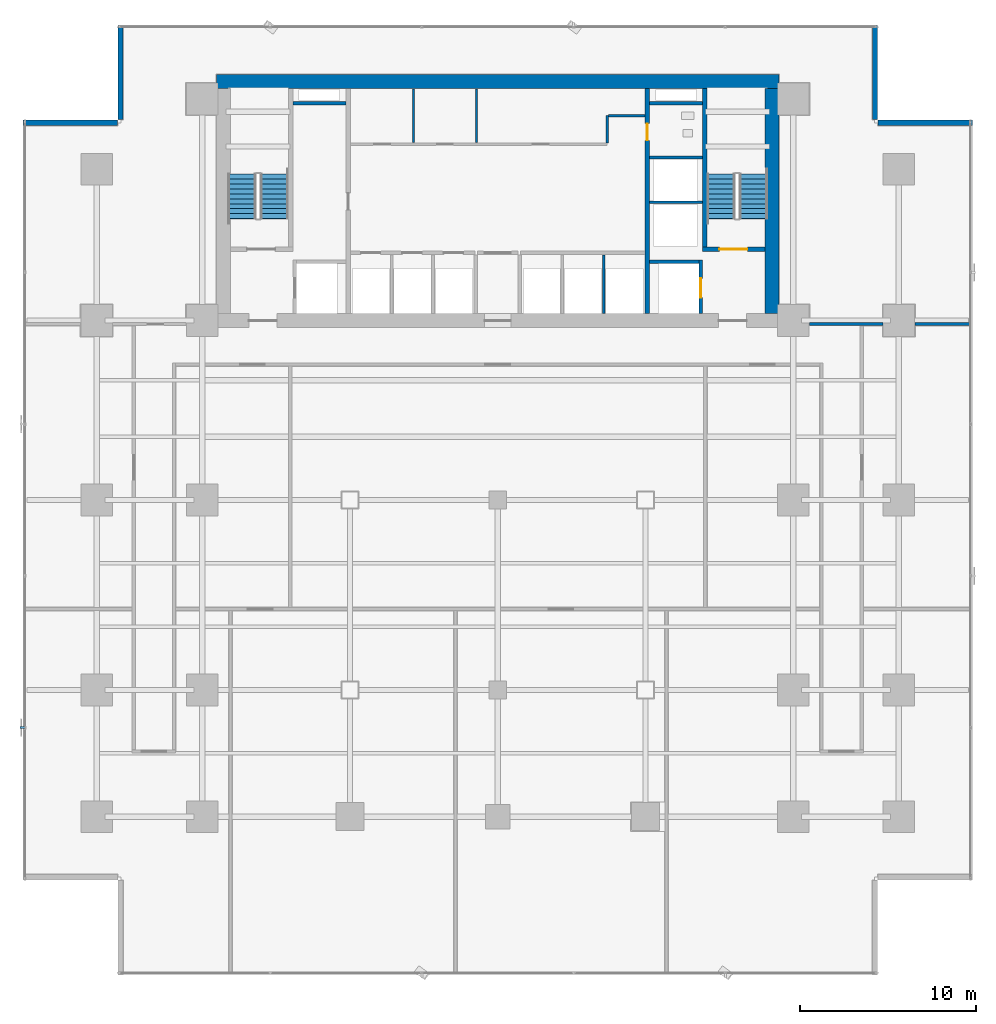
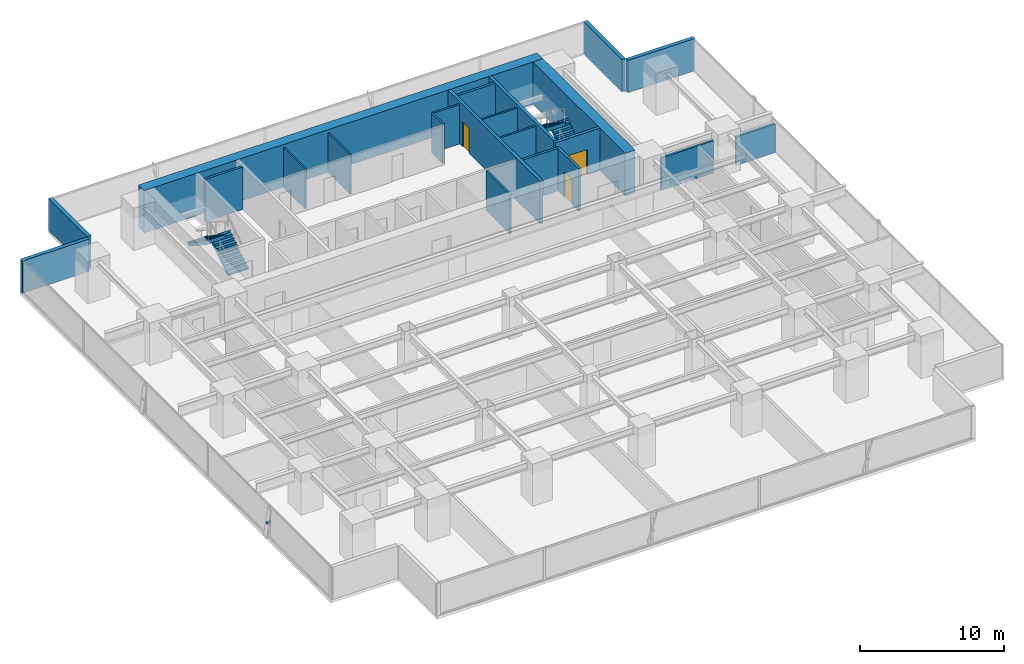
# One storey, part 26 of 33: 22 walls, 4 stair flights, 3 doors, 1 discrete accessory, 3 openings, 2 elements without a shape of their own.
"""IFC4 building model written with IfcOpenShell, lengths in metres."""

from ifc_helpers import new_model, si_unit, direction, frame, frame_2d, origin, origin_2d, place, context, subcontext, project, spatial, polyline, rectangle, outline, extrude, source, transform, mapped, material, layer, layer_set, material_profile, profile_set, type_object, element, fill, aggregate, save


model = new_model("IFC4")

# Units and contexts
model_context = context("Model", 3, precision=1e-05, world=origin(), true_north=direction((0.0, 1.0)))
body_context = subcontext(model_context, "Body", "Model", "MODEL_VIEW")
ifc_project = project(units=[si_unit("LENGTHUNIT", "METRE"), si_unit("AREAUNIT", "SQUARE_METRE"), si_unit("VOLUMEUNIT", "CUBIC_METRE"), si_unit("PLANEANGLEUNIT", "RADIAN"), si_unit("MASSUNIT", "GRAM", prefix="KILO")], contexts=[model_context])

# Site, building, storey
site_placement = place(None, origin())
site = spatial("IfcSite", under=ifc_project, at=site_placement, CompositionType="ELEMENT")
building_placement = place(site_placement, origin())
building = spatial("IfcBuilding", under=site, at=building_placement, Name="Sumidabori Civic Tower", CompositionType="ELEMENT")
storey_placement = place(building_placement, frame((0.0, 0.0, 63.199951171875)))
storey = spatial("IfcBuildingStorey", under=building, at=storey_placement, Name="L16", CompositionType="ELEMENT", Elevation=63.199951171875)

# Walls
ifc_material_1 = material(Name="Concrete C60/75", Category="concrete")
ifc_layer_1 = layer(ifc_material_1, 0.800048828125, Name="Concrete C60/75")
ifc_layer_set_1 = layer_set([ifc_layer_1], Name="Concrete C60/75")
wall_type_1 = type_object("IfcWallType", Name="WL-CORE-800", PredefinedType="SHEAR", material=ifc_layer_set_1)
shared_shape_1 = source(origin(), body_context, "Body", "SweptSolid", [
    extrude(rectangle(XDim=32.0, YDim=0.800048828125, at=frame_2d((16.0, 0.0))), origin(), (0.0, 0.0, 1.0), 3.60009765625),
])
wall_1_placement = place(storey_placement, frame((-16.0, 23.800048828125, 0.0), z_axis=(0.0, 0.0, 1.0), x_axis=(1.0, 0.0, 0.0)))
element("IfcWall", 1, at=wall_1_placement, inside=storey, type_object=wall_type_1, Name="Core Shear Wall L16 N", PredefinedType="SHEAR", context=body_context, shape_type="MappedRepresentation", body=[
    mapped(shared_shape_1, transform((0.0, 0.0, 0.0), x_axis=(1.0, 0.0, 0.0), y_axis=(0.0, 1.0, 0.0), z_axis=(0.0, 0.0, 1.0), scale=1.0)),
])
shared_shape_2 = source(origin(), body_context, "Body", "SweptSolid", [
    extrude(rectangle(XDim=12.7998046875, YDim=0.800048828125, at=frame_2d((6.39990234375, 0.0))), origin(), (0.0, 0.0, 1.0), 3.60009765625),
])
wall_2_placement = place(storey_placement, frame((15.60009765625, 10.60009765625, 0.0), z_axis=(0.0, 0.0, 1.0), x_axis=(0.0, 1.0, 0.0)))
element("IfcWall", 2, at=wall_2_placement, inside=storey, type_object=wall_type_1, Name="Core Shear Wall L16 E", PredefinedType="SHEAR", context=body_context, shape_type="MappedRepresentation", body=[
    mapped(shared_shape_2, transform((0.0, 0.0, 0.0), x_axis=(1.0, 0.0, 0.0), y_axis=(0.0, 1.0, 0.0), z_axis=(0.0, 0.0, 1.0), scale=1.0)),
])

# Wall, opening, door
ifc_material_2 = material(Name="Concrete C50/60", Category="concrete")
ifc_layer_2 = layer(ifc_material_2, 0.25, Name="Concrete C50/60")
ifc_layer_set_2 = layer_set([ifc_layer_2], Name="Concrete C50/60")
wall_type_2 = type_object("IfcWallType", Name="WL-SHAFT-250", PredefinedType="SHEAR", material=ifc_layer_set_2)
shared_shape_3 = source(origin(), body_context, "Body", "SweptSolid", [
    extrude(rectangle(XDim=12.7998046875, YDim=0.25, at=frame_2d((6.39990234375, 0.0))), origin(), (0.0, 0.0, 1.0), 3.60009765625),
])
wall_3_placement = place(storey_placement, frame((8.5, 10.60009765625, 0.0), z_axis=(0.0, 0.0, 1.0), x_axis=(0.0, 1.0, 0.0)))
wall_3 = element("IfcWall", 3, at=wall_3_placement, inside=storey, type_object=wall_type_2, Name="Core Shear Wall L16 WEB-E", PredefinedType="SHEAR", context=body_context, shape_type="MappedRepresentation", body=[
    mapped(shared_shape_3, transform((0.0, 0.0, 0.0), x_axis=(1.0, 0.0, 0.0), y_axis=(0.0, 1.0, 0.0), z_axis=(0.0, 0.0, 1.0), scale=1.0)),
])
opening_1_placement = place(wall_3_placement, frame((9.85009765625, 0.0, 0.0)))
opening_1 = element("IfcOpeningElement", 4, at=opening_1_placement, cuts=wall_3, Name="Opening DR-2", PredefinedType="OPENING", context=body_context, shape_type="SweptSolid", body=[
    extrude(rectangle(XDim=0.949951171875, YDim=2.14990234375, at=frame_2d((0.47509765625, 1.074951171875))), frame((0.0, 0.136962890625, 0.0), z_axis=(0.0, -1.0, 0.0), x_axis=(1.0, 0.0, 0.0)), (0.0, 0.0, 1.0), 0.27392578125),
])
ifc_material_3 = material(Name="Japanese Hinoki Timber", Category="wood")
door_type_1 = type_object("IfcDoorType", Name="DR-INT-950", OperationType="NOTDEFINED", PredefinedType="DOOR", material=ifc_material_3)
shared_shape_4 = source(origin(), body_context, "Body", "SweptSolid", [
    extrude(rectangle(XDim=0.949951171875, YDim=2.14990234375, at=frame_2d((0.47509765625, 1.074951171875))), frame((0.0, 0.02490234375, 0.0), z_axis=(0.0, -1.0, 0.0), x_axis=(1.0, 0.0, 0.0)), (0.0, 0.0, 1.0), 0.050048828125),
])
door_1_placement = place(opening_1_placement, origin())
door_1 = element("IfcDoor", 5, at=door_1_placement, inside=storey, type_object=door_type_1, Name="Door DR:L16:WC-ACC", OperationType="SINGLE_SWING_RIGHT", OverallHeight=2.14990234375, OverallWidth=0.949951171875, PredefinedType="DOOR", context=body_context, shape_type="MappedRepresentation", body=[
    mapped(shared_shape_4, transform((0.0, 0.0, 0.0), x_axis=(1.0, 0.0, 0.0), y_axis=(0.0, 1.0, 0.0), z_axis=(0.0, 0.0, 1.0), scale=1.0)),
])
fill(opening_1, door_1)

shared_shape_5 = source(origin(), body_context, "Body", "SweptSolid", [
    extrude(rectangle(XDim=3.554931640625, YDim=0.25, at=frame_2d((1.77734375, 0.0))), origin(), (0.0, 0.0, 1.0), 3.60009765625),
])
wall_4_placement = place(storey_placement, frame((11.64501953125, 14.25, 0.0), z_axis=(0.0, 0.0, 1.0), x_axis=(1.0, 0.0, 0.0)))
wall_4 = element("IfcWall", 6, at=wall_4_placement, inside=storey, type_object=wall_type_2, Name="Core Shear Wall L16 ST2-S", PredefinedType="SHEAR", context=body_context, shape_type="MappedRepresentation", body=[
    mapped(shared_shape_5, transform((0.0, 0.0, 0.0), x_axis=(1.0, 0.0, 0.0), y_axis=(0.0, 1.0, 0.0), z_axis=(0.0, 0.0, 1.0), scale=1.0)),
])
opening_2_placement = place(wall_4_placement, frame((0.949951171875, 0.0, 0.0)))
opening_2 = element("IfcOpeningElement", 7, at=opening_2_placement, cuts=wall_4, Name="Opening DR-FD4", PredefinedType="OPENING", context=body_context, shape_type="SweptSolid", body=[
    extrude(rectangle(XDim=1.60009765625, YDim=2.14990234375, at=frame_2d((0.800048828125, 1.074951171875))), frame((0.0, 0.136962890625, 0.0), z_axis=(0.0, -1.0, 0.0), x_axis=(1.0, 0.0, 0.0)), (0.0, 0.0, 1.0), 0.27392578125),
])
ifc_material_4 = material(Name="Steel SN490", Category="steel")
door_type_2 = type_object("IfcDoorType", Name="DR-FD4", OperationType="DOUBLE_DOOR_SINGLE_SWING", PredefinedType="DOOR", material=ifc_material_4)
shared_shape_6 = source(origin(), body_context, "Body", "SweptSolid", [
    extrude(rectangle(XDim=1.60009765625, YDim=2.14990234375, at=frame_2d((0.800048828125, 1.074951171875))), frame((0.0, 0.02490234375, 0.0), z_axis=(0.0, -1.0, 0.0), x_axis=(1.0, 0.0, 0.0)), (0.0, 0.0, 1.0), 0.050048828125),
])
door_2_placement = place(opening_2_placement, origin())
door_2 = element("IfcDoor", 8, at=door_2_placement, inside=storey, type_object=door_type_2, Name="Door DR:L16:ST2", OperationType="DOUBLE_DOOR_SINGLE_SWING", OverallHeight=2.14990234375, OverallWidth=1.60009765625, PredefinedType="DOOR", context=body_context, shape_type="MappedRepresentation", body=[
    mapped(shared_shape_6, transform((0.0, 0.0, 0.0), x_axis=(1.0, 0.0, 0.0), y_axis=(0.0, 1.0, 0.0), z_axis=(0.0, 0.0, 1.0), scale=1.0)),
])
fill(opening_2, door_2)

# Wall
shared_shape_7 = source(origin(), body_context, "Body", "SweptSolid", [
    extrude(rectangle(XDim=9.02490234375, YDim=0.25, at=frame_2d((4.512451171875, 0.0))), origin(), (0.0, 0.0, 1.0), 3.60009765625),
])
wall_5_placement = place(storey_placement, frame((11.77001953125, 14.375, 0.0), z_axis=(0.0, 0.0, 1.0), x_axis=(0.0, 1.0, 0.0)))
element("IfcWall", 9, at=wall_5_placement, inside=storey, type_object=wall_type_2, Name="Core Shear Wall L16 ST2-W", PredefinedType="SHEAR", context=body_context, shape_type="MappedRepresentation", body=[
    mapped(shared_shape_7, transform((0.0, 0.0, 0.0), x_axis=(1.0, 0.0, 0.0), y_axis=(0.0, 1.0, 0.0), z_axis=(0.0, 0.0, 1.0), scale=1.0)),
])

# Wall, opening, door
ifc_layer_3 = layer(ifc_material_2, 0.199951171875, Name="Concrete C50/60")
ifc_layer_set_3 = layer_set([ifc_layer_3], Name="Concrete C50/60")
wall_type_3 = type_object("IfcWallType", Name="WL-SHAFT-200", PredefinedType="SHEAR", material=ifc_layer_set_3)
shared_shape_8 = source(origin(), body_context, "Body", "SweptSolid", [
    extrude(rectangle(XDim=3.0498046875, YDim=0.199951171875, at=frame_2d((1.52490234375, 0.0))), origin(), (0.0, 0.0, 1.0), 3.60009765625),
])
wall_6_placement = place(storey_placement, frame((11.550048828125, 10.60009765625, 0.0), z_axis=(0.0, 0.0, 1.0), x_axis=(0.0, 1.0, 0.0)))
wall_6 = element("IfcWall", 10, at=wall_6_placement, inside=storey, type_object=wall_type_3, Name="Core Shear Wall L16 EL2-E", PredefinedType="SHEAR", context=body_context, shape_type="MappedRepresentation", body=[
    mapped(shared_shape_8, transform((0.0, 0.0, 0.0), x_axis=(1.0, 0.0, 0.0), y_axis=(0.0, 1.0, 0.0), z_axis=(0.0, 0.0, 1.0), scale=1.0)),
])
opening_3_placement = place(wall_6_placement, frame((0.89990234375, 0.0, 0.0)))
opening_3 = element("IfcOpeningElement", 11, at=opening_3_placement, cuts=wall_6, Name="Opening LD-2", PredefinedType="OPENING", context=body_context, shape_type="SweptSolid", body=[
    extrude(rectangle(XDim=1.10009765625, YDim=2.14990234375, at=frame_2d((0.550048828125, 1.074951171875))), frame((0.0, 0.11181640625, 0.0), z_axis=(0.0, -1.0, 0.0), x_axis=(1.0, 0.0, 0.0)), (0.0, 0.0, 1.0), 0.223876953125),
])
ifc_material_5 = material(Name="Stainless Steel Hairline Finish", Category="steel")
door_type_3 = type_object("IfcDoorType", Name="DR-LD2", OperationType="DOUBLE_DOOR_SLIDING", PredefinedType="DOOR", material=ifc_material_5)
shared_shape_9 = source(origin(), body_context, "Body", "SweptSolid", [
    extrude(rectangle(XDim=1.10009765625, YDim=2.14990234375, at=frame_2d((0.550048828125, 1.074951171875))), frame((0.0, 0.02490234375, 0.0), z_axis=(0.0, -1.0, 0.0), x_axis=(1.0, 0.0, 0.0)), (0.0, 0.0, 1.0), 0.050048828125),
])
door_3_placement = place(opening_3_placement, origin())
door_3 = element("IfcDoor", 12, at=door_3_placement, inside=storey, type_object=door_type_3, Name="Door DR:L16:LD-EL2", OperationType="DOUBLE_DOOR_SLIDING", OverallHeight=2.14990234375, OverallWidth=1.10009765625, PredefinedType="DOOR", context=body_context, shape_type="MappedRepresentation", body=[
    mapped(shared_shape_9, transform((0.0, 0.0, 0.0), x_axis=(1.0, 0.0, 0.0), y_axis=(0.0, 1.0, 0.0), z_axis=(0.0, 0.0, 1.0), scale=1.0)),
])
fill(opening_3, door_3)

# Walls
shared_shape_10 = source(origin(), body_context, "Body", "SweptSolid", [
    extrude(rectangle(XDim=2.824951171875, YDim=0.199951171875, at=frame_2d((1.41259765625, 0.0))), origin(), (0.0, 0.0, 1.0), 3.60009765625),
])
wall_7_placement = place(storey_placement, frame((8.625, 13.550048828125, 0.0), z_axis=(0.0, 0.0, 1.0), x_axis=(1.0, 0.0, 0.0)))
element("IfcWall", 13, at=wall_7_placement, inside=storey, type_object=wall_type_3, Name="Core Shear Wall L16 EL2-N", PredefinedType="SHEAR", context=body_context, shape_type="MappedRepresentation", body=[
    mapped(shared_shape_10, transform((0.0, 0.0, 0.0), x_axis=(1.0, 0.0, 0.0), y_axis=(0.0, 1.0, 0.0), z_axis=(0.0, 0.0, 1.0), scale=1.0)),
])
shared_shape_11 = source(origin(), body_context, "Body", "SweptSolid", [
    extrude(rectangle(XDim=3.02001953125, YDim=0.199951171875, at=frame_2d((1.510009765625, 0.0))), origin(), (0.0, 0.0, 1.0), 3.60009765625),
])
for number, where, z_axis, x_axis, name in (
    (14, (-11.64501953125, 22.550048828125, 0.0), (0.0, 0.0, 1.0), (1.0, 0.0, 0.0), "Core Shear Wall L16 RIS1-S"),
    (15, (8.625, 22.550048828125, 0.0), (0.0, 0.0, 1.0), (1.0, 0.0, 0.0), "Core Shear Wall L16 RIS2-S"),
):
    element("IfcWall", number, at=place(storey_placement, frame(where, z_axis=z_axis, x_axis=x_axis)), inside=storey, type_object=wall_type_3, Name=name, PredefinedType="SHEAR", context=body_context, shape_type="MappedRepresentation", body=[
        mapped(shared_shape_11, transform((0.0, 0.0, 0.0), x_axis=(1.0, 0.0, 0.0), y_axis=(0.0, 1.0, 0.0), z_axis=(0.0, 0.0, 1.0), scale=1.0)),
    ])
ifc_material_6 = material(Name="Precast concrete C40/50", Category="concrete")
ifc_layer_4 = layer(ifc_material_6, 0.300048828125, Name="Precast concrete C40/50")
ifc_layer_set_4 = layer_set([ifc_layer_4], Name="Precast concrete C40/50")
wall_type_4 = type_object("IfcWallType", Name="WL-EXT-POD300", PredefinedType="STANDARD", material=ifc_layer_set_4)
shared_shape_12 = source(origin(), body_context, "Body", "SweptSolid", [
    extrude(rectangle(XDim=5.35986328125, YDim=0.300048828125, at=frame_2d((2.679931640625, 0.0))), origin(), (0.0, 0.0, 1.0), 2.739990234375),
])
for number, where, z_axis, x_axis, name in (
    (16, (26.97998046875, 21.449951171875, 0.0), (0.0, 0.0, 1.0), (-1.0, 0.0, 0.0), "Notched Corner Spandrel Band L16-05"),
    (17, (21.449951171875, 21.6201171875, 0.0), (0.0, 0.0, 1.0), (0.0, 1.0, 0.0), "Notched Corner Spandrel Band L16-06"),
    (18, (-21.449951171875, 26.97998046875, 0.0), (0.0, 0.0, 1.0), (0.0, -1.0, 0.0), "Notched Corner Spandrel Band L16-08"),
    (19, (-21.6201171875, 21.449951171875, 0.0), (0.0, 0.0, 1.0), (-1.0, 0.0, 0.0), "Notched Corner Spandrel Band L16-09"),
):
    element("IfcWall", number, at=place(storey_placement, frame(where, z_axis=z_axis, x_axis=x_axis)), inside=storey, type_object=wall_type_4, Name=name, PredefinedType="STANDARD", context=body_context, shape_type="MappedRepresentation", body=[
        mapped(shared_shape_12, transform((0.0, 0.0, 0.0), x_axis=(1.0, 0.0, 0.0), y_axis=(0.0, 1.0, 0.0), z_axis=(0.0, 0.0, 1.0), scale=1.0)),
    ])
ifc_material_7 = material(Name="Gypsum Plasterboard Acoustic Partition")
ifc_layer_5 = layer(ifc_material_7, 0.14990234375, Name="Gypsum Plasterboard Acoustic Partition")
ifc_layer_set_5 = layer_set([ifc_layer_5], Name="Gypsum Plasterboard Acoustic Partition")
wall_type_5 = type_object("IfcWallType", Name="WL-PART-150", PredefinedType="PARTITIONING", material=ifc_layer_set_5)
shared_shape_13 = source(origin(), body_context, "Body", "SweptSolid", [
    extrude(rectangle(XDim=3.010009765625, YDim=0.14990234375, at=frame_2d((1.5048828125, 0.0))), origin(), (0.0, 0.0, 1.0), 3.360107421875),
])
for number, where, z_axis, x_axis, name in (
    (20, (8.6298828125, 16.919921875, 0.0), (0.0, 0.0, 1.0), (1.0, 0.0, 0.0), "Interior Partition WL:L16:DIV-OBS1"),
    (21, (8.6298828125, 19.469970703125, 0.0), (0.0, 0.0, 1.0), (1.0, 0.0, 0.0), "Interior Partition WL:L16:DIV-OBS2"),
):
    element("IfcWall", number, at=place(storey_placement, frame(where, z_axis=z_axis, x_axis=x_axis)), inside=storey, type_object=wall_type_5, Name=name, PredefinedType="PARTITIONING", context=body_context, shape_type="MappedRepresentation", body=[
        mapped(shared_shape_13, transform((0.0, 0.0, 0.0), x_axis=(1.0, 0.0, 0.0), y_axis=(0.0, 1.0, 0.0), z_axis=(0.0, 0.0, 1.0), scale=1.0)),
    ])
shared_shape_14 = source(origin(), body_context, "Body", "SweptSolid", [
    extrude(rectangle(XDim=1.550048828125, YDim=0.14990234375, at=frame_2d((0.77490234375, 0.0))), origin(), (0.0, 0.0, 1.0), 3.360107421875),
])
wall_8_placement = place(storey_placement, frame((6.219970703125, 20.300048828125, 0.0), z_axis=(0.0, 0.0, 1.0), x_axis=(0.0, 1.0, 0.0)))
element("IfcWall", 22, at=wall_8_placement, inside=storey, type_object=wall_type_5, Name="Interior Partition WL:L16:CBAND-ME1", PredefinedType="PARTITIONING", context=body_context, shape_type="MappedRepresentation", body=[
    mapped(shared_shape_14, transform((0.0, 0.0, 0.0), x_axis=(1.0, 0.0, 0.0), y_axis=(0.0, 1.0, 0.0), z_axis=(0.0, 0.0, 1.0), scale=1.0)),
])
shared_shape_15 = source(origin(), body_context, "Body", "SweptSolid", [
    extrude(rectangle(XDim=2.070068359375, YDim=0.14990234375, at=frame_2d((1.03515625, 0.0))), origin(), (0.0, 0.0, 1.0), 3.360107421875),
])
wall_9_placement = place(storey_placement, frame((6.300048828125, 21.85009765625, 0.0), z_axis=(0.0, 0.0, 1.0), x_axis=(1.0, 0.0, 0.0)))
element("IfcWall", 23, at=wall_9_placement, inside=storey, type_object=wall_type_5, Name="Interior Partition WL:L16:CBAND-ME2", PredefinedType="PARTITIONING", context=body_context, shape_type="MappedRepresentation", body=[
    mapped(shared_shape_15, transform((0.0, 0.0, 0.0), x_axis=(1.0, 0.0, 0.0), y_axis=(0.0, 1.0, 0.0), z_axis=(0.0, 0.0, 1.0), scale=1.0)),
])
shared_shape_16 = source(origin(), body_context, "Body", "SweptSolid", [
    extrude(rectangle(XDim=3.33984375, YDim=0.14990234375, at=frame_2d((1.669921875, 0.0))), origin(), (0.0, 0.0, 1.0), 3.360107421875),
])
wall_10_placement = place(storey_placement, frame((6.02001953125, 10.60009765625, 0.0), z_axis=(0.0, 0.0, 1.0), x_axis=(0.0, 1.0, 0.0)))
element("IfcWall", 24, at=wall_10_placement, inside=storey, type_object=wall_type_5, Name="Interior Partition WL:L16:DIV-PLM2", PredefinedType="PARTITIONING", context=body_context, shape_type="MappedRepresentation", body=[
    mapped(shared_shape_16, transform((0.0, 0.0, 0.0), x_axis=(1.0, 0.0, 0.0), y_axis=(0.0, 1.0, 0.0), z_axis=(0.0, 0.0, 1.0), scale=1.0)),
])
ifc_layer_6 = layer(ifc_material_7, 0.1201171875, Name="Gypsum Plasterboard Acoustic Partition")
ifc_layer_set_6 = layer_set([ifc_layer_6], Name="Gypsum Plasterboard Acoustic Partition")
wall_type_6 = type_object("IfcWallType", Name="WL-PART-120", PredefinedType="PARTITIONING", material=ifc_layer_set_6)
shared_shape_17 = source(origin(), body_context, "Body", "SweptSolid", [
    extrude(rectangle(XDim=3.0400390625, YDim=0.1201171875, at=frame_2d((1.52001953125, 0.0))), origin(), (0.0, 0.0, 1.0), 3.360107421875),
])
for number, where, z_axis, x_axis, name in (
    (25, (-4.800048828125, 20.320068359375, 0.0), (0.0, 0.0, 1.0), (0.0, 1.0, 0.0), "Interior Partition WL:L16:LV8-S1"),
    (26, (-1.199951171875, 20.320068359375, 0.0), (0.0, 0.0, 1.0), (0.0, 1.0, 0.0), "Interior Partition WL:L16:LV8-S2"),
):
    element("IfcWall", number, at=place(storey_placement, frame(where, z_axis=z_axis, x_axis=x_axis)), inside=storey, type_object=wall_type_6, Name=name, PredefinedType="PARTITIONING", context=body_context, shape_type="MappedRepresentation", body=[
        mapped(shared_shape_17, transform((0.0, 0.0, 0.0), x_axis=(1.0, 0.0, 0.0), y_axis=(0.0, 1.0, 0.0), z_axis=(0.0, 0.0, 1.0), scale=1.0)),
    ])
ifc_layer_7 = layer(ifc_material_7, 0.179931640625, Name="Gypsum Plasterboard Acoustic Partition")
ifc_layer_set_7 = layer_set([ifc_layer_7], Name="Gypsum Plasterboard Acoustic Partition")
wall_type_7 = type_object("IfcWallType", Name="WL-PART-180", PredefinedType="PARTITIONING", material=ifc_layer_set_7)
shared_shape_18 = source(origin(), body_context, "Body", "SweptSolid", [
    extrude(rectangle(XDim=3.14013671875, YDim=0.179931640625, at=frame_2d((1.570068359375, 0.0))), origin(), (0.0, 0.0, 1.0), 2.43505859375),
])
wall_11_placement = place(storey_placement, frame((23.7099609375, 10.0, 0.0), z_axis=(0.0, 0.0, 1.0), x_axis=(1.0, 0.0, 0.0)))
element("IfcWall", 27, at=wall_11_placement, inside=storey, type_object=wall_type_7, Name="Interior Partition WL:L16:FLK-NE-2", PredefinedType="PARTITIONING", context=body_context, shape_type="MappedRepresentation", body=[
    mapped(shared_shape_18, transform((0.0, 0.0, 0.0), x_axis=(1.0, 0.0, 0.0), y_axis=(0.0, 1.0, 0.0), z_axis=(0.0, 0.0, 1.0), scale=1.0)),
])
shared_shape_19 = source(origin(), body_context, "Body", "SweptSolid", [
    extrude(rectangle(XDim=4.179931640625, YDim=0.179931640625, at=frame_2d((2.08984375, 0.0))), origin(), (0.0, 0.0, 1.0), 2.7451171875),
])
wall_12_placement = place(storey_placement, frame((17.7099609375, 10.0, 0.0), z_axis=(0.0, 0.0, 1.0), x_axis=(1.0, 0.0, 0.0)))
element("IfcWall", 28, at=wall_12_placement, inside=storey, type_object=wall_type_7, Name="Interior Partition WL:L16:FLK-NE-1", PredefinedType="PARTITIONING", context=body_context, shape_type="MappedRepresentation", body=[
    mapped(shared_shape_19, transform((0.0, 0.0, 0.0), x_axis=(1.0, 0.0, 0.0), y_axis=(0.0, 1.0, 0.0), z_axis=(0.0, 0.0, 1.0), scale=1.0)),
])

# Stair, stair flights
ifc_material_8 = material(Name="Concrete C40/50", Category="concrete")
stair_type = type_object("IfcStairType", Name="ST-CORE-1600", PredefinedType="HALF_TURN_STAIR", material=ifc_material_8)
stair_1_placement = place(storey_placement, origin())
stair_1 = element("IfcStair", 29, at=stair_1_placement, inside=storey, type_object=stair_type, Name="L16 ST-1", PredefinedType="HALF_TURN_STAIR")
stair_flight_type = type_object("IfcStairFlightType", Name="SF-CORE-1600", PredefinedType="STRAIGHT", material=ifc_material_8)
shared_shape_20 = source(origin(), body_context, "Body", "SweptSolid", [
    extrude(outline(polyline([(-0.02490234375, 0.0), (-0.02490234375, 0.0400390625), (0.0, 0.0400390625), (0.0, 0.179931640625), (0.280029296875, 0.179931640625), (0.280029296875, 0.360107421875), (0.56005859375, 0.360107421875), (0.56005859375, 0.5400390625), (0.840087890625, 0.5400390625), (0.840087890625, 0.719970703125), (1.1201171875, 0.719970703125), (1.1201171875, 0.89990234375), (1.39990234375, 0.89990234375), (1.39990234375, 1.080078125), (1.679931640625, 1.080078125), (1.679931640625, 1.260009765625), (1.9599609375, 1.260009765625), (1.9599609375, 1.43994140625), (2.239990234375, 1.43994140625), (2.239990234375, 1.6201171875), (2.52001953125, 1.6201171875), (2.52001953125, 1.800048828125), (2.544921875, 1.800048828125), (2.544921875, 1.650146484375), (2.52001953125, 1.44189453125), (0.277099609375, 0.0), (-0.02490234375, 0.0)])), frame((0.0, 0.800048828125, 0.0), z_axis=(0.0, -1.0, 0.0), x_axis=(1.0, 0.0, 0.0)), (0.0, 0.0, 1.0), 1.60009765625),
])
stair_flight_1_placement = place(storey_placement, frame((-12.699951171875, 16.0, 0.0), z_axis=(0.0, 0.0, 1.0), x_axis=(0.0, 1.0, 0.0)))
stair_flight_1 = element("IfcStairFlight", 30, at=stair_flight_1_placement, type_object=stair_flight_type, Name="ST-1 flight 1", NumberOfRisers=10, NumberOfTreads=9, PredefinedType="STRAIGHT", RiserHeight=0.18, TreadLength=0.28, context=body_context, shape_type="MappedRepresentation", body=[
    mapped(shared_shape_20, transform((0.0, 0.0, 0.0), x_axis=(1.0, 0.0, 0.0), y_axis=(0.0, 1.0, 0.0), z_axis=(0.0, 0.0, 1.0), scale=1.0)),
])
stair_flight_2_placement = place(storey_placement, frame((-14.5400390625, 18.52001953125, 1.800048828125), z_axis=(0.0, 0.0, 1.0), x_axis=(0.0, -1.0, 0.0)))
stair_flight_2 = element("IfcStairFlight", 31, at=stair_flight_2_placement, type_object=stair_flight_type, Name="ST-1 flight 2", NumberOfRisers=10, NumberOfTreads=9, PredefinedType="STRAIGHT", RiserHeight=0.18, TreadLength=0.28, context=body_context, shape_type="MappedRepresentation", body=[
    mapped(shared_shape_20, transform((0.0, 0.0, 0.0), x_axis=(1.0, 0.0, 0.0), y_axis=(0.0, 1.0, 0.0), z_axis=(0.0, 0.0, 1.0), scale=1.0)),
])
aggregate(stair_1, [stair_flight_1, stair_flight_2])

stair_2_placement = place(storey_placement, origin())
stair_2 = element("IfcStair", 32, at=stair_2_placement, inside=storey, type_object=stair_type, Name="L16 ST-2", PredefinedType="HALF_TURN_STAIR")
stair_flight_3_placement = place(storey_placement, frame((14.5400390625, 16.0, 0.0), z_axis=(0.0, 0.0, 1.0), x_axis=(0.0, 1.0, 0.0)))
stair_flight_3 = element("IfcStairFlight", 33, at=stair_flight_3_placement, type_object=stair_flight_type, Name="ST-2 flight 1", NumberOfRisers=10, NumberOfTreads=9, PredefinedType="STRAIGHT", RiserHeight=0.18, TreadLength=0.28, context=body_context, shape_type="MappedRepresentation", body=[
    mapped(shared_shape_20, transform((0.0, 0.0, 0.0), x_axis=(1.0, 0.0, 0.0), y_axis=(0.0, 1.0, 0.0), z_axis=(0.0, 0.0, 1.0), scale=1.0)),
])
stair_flight_4_placement = place(storey_placement, frame((12.699951171875, 18.52001953125, 1.800048828125), z_axis=(0.0, 0.0, 1.0), x_axis=(0.0, -1.0, 0.0)))
stair_flight_4 = element("IfcStairFlight", 34, at=stair_flight_4_placement, type_object=stair_flight_type, Name="ST-2 flight 2", NumberOfRisers=10, NumberOfTreads=9, PredefinedType="STRAIGHT", RiserHeight=0.18, TreadLength=0.28, context=body_context, shape_type="MappedRepresentation", body=[
    mapped(shared_shape_20, transform((0.0, 0.0, 0.0), x_axis=(1.0, 0.0, 0.0), y_axis=(0.0, 1.0, 0.0), z_axis=(0.0, 0.0, 1.0), scale=1.0)),
])
aggregate(stair_2, [stair_flight_3, stair_flight_4])

# Discrete accessory
ifc_material_profile = material_profile(ifc_material_5, rectangle(XDim=0.1201171875, YDim=0.179931640625, at=origin_2d()), Name="STEEL BRACKET 180x120")
ifc_profile_set = profile_set([ifc_material_profile], Name="Stainless Steel Hairline Finish")
discrete_accessory_type = type_object("IfcDiscreteAccessoryType", Name="AC-BRK-180", PredefinedType="BRACKET", material=ifc_profile_set)
shared_shape_21 = source(origin(), body_context, "Body", "SweptSolid", [
    extrude(rectangle(XDim=0.1201171875, YDim=0.179931640625, at=origin_2d()), origin(), (0.0, 0.0, 1.0), 0.329833984375),
])
discrete_accessory_placement = place(storey_placement, frame((-26.830078125, -12.94189453125, 1.360107421875), z_axis=(-1.0, 0.0, 0.0), x_axis=(0.0, -1.0, 0.0)))
element("IfcDiscreteAccessory", 35, at=discrete_accessory_placement, inside=storey, type_object=discrete_accessory_type, Name="Bronze Fin Fixing Bracket L16-04", PredefinedType="BRACKET", context=body_context, shape_type="MappedRepresentation", body=[
    mapped(shared_shape_21, transform((0.0, 0.0, 0.0), x_axis=(1.0, 0.0, 0.0), y_axis=(0.0, 1.0, 0.0), z_axis=(0.0, 0.0, 1.0), scale=1.0)),
])

save(model, "model.ifc")
